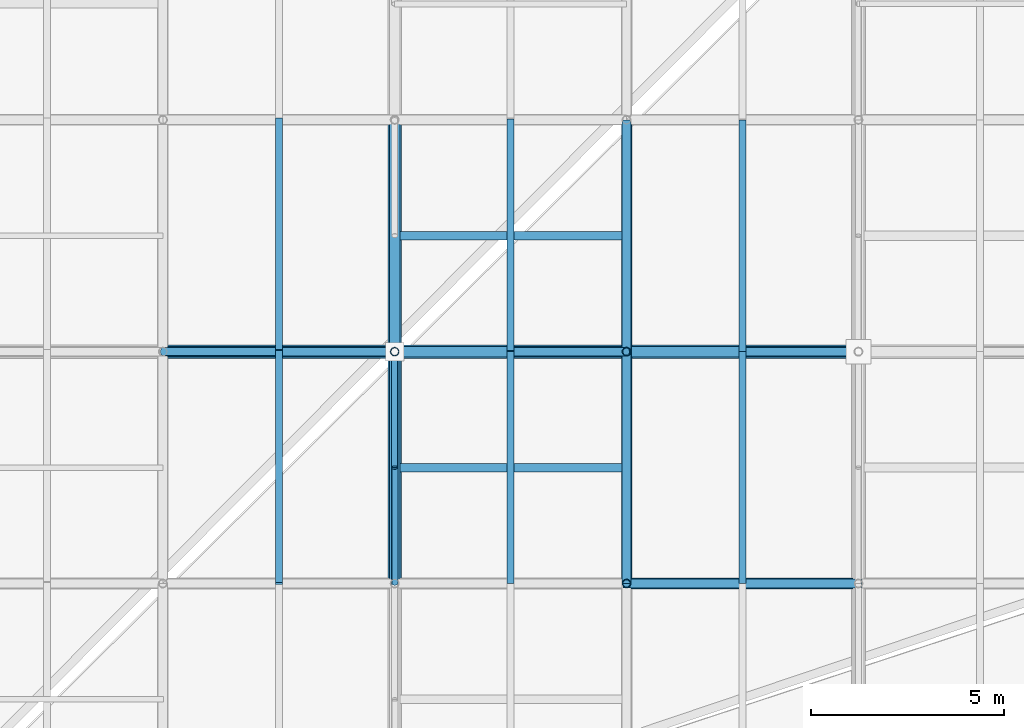
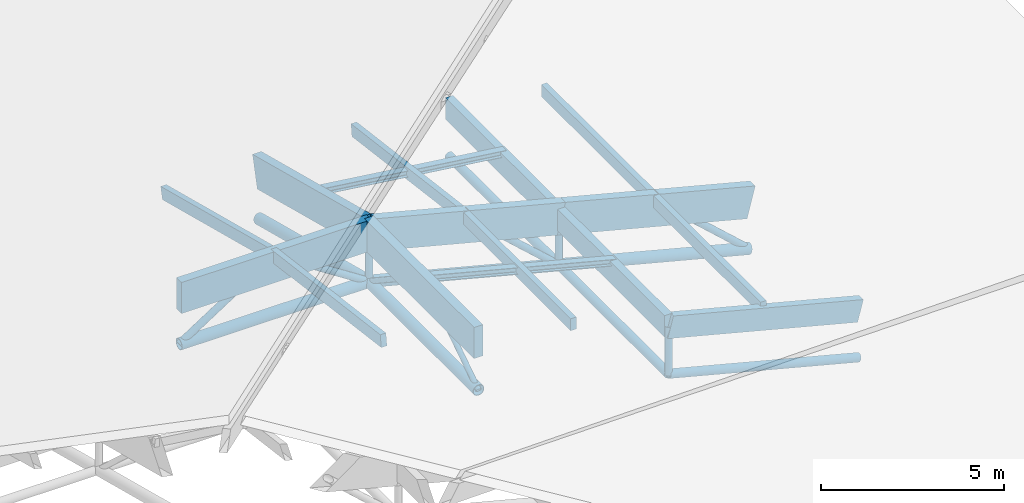
# One storey, part 43 of 80: 33 members.
"""IFC4 building model written with IfcOpenShell, lengths in metres."""

from ifc_helpers import new_model, si_unit, direction, frame, origin, origin_2d, place, context, subcontext, project, spatial, rectangle, hollow_circle, i_section, extrude, material, material_profile, profile_set, type_object, element, save


model = new_model("IFC4")

# Units and contexts
model_context = context("Model", 3, precision=1e-05, world=origin(), true_north=direction((0.0, 1.0)))
body_context = subcontext(model_context, "Body", "Model", "MODEL_VIEW")
ifc_project = project(units=[si_unit("LENGTHUNIT", "METRE"), si_unit("AREAUNIT", "SQUARE_METRE"), si_unit("VOLUMEUNIT", "CUBIC_METRE"), si_unit("PLANEANGLEUNIT", "RADIAN"), si_unit("MASSUNIT", "GRAM", prefix="KILO"), si_unit("THERMODYNAMICTEMPERATUREUNIT", "KELVIN"), si_unit("POWERUNIT", "WATT")], contexts=[model_context])

# Site, building, storey
site_placement = place(None, origin())
site = spatial("IfcSite", under=ifc_project, at=site_placement, CompositionType="ELEMENT")
building_placement = place(site_placement, origin())
building = spatial("IfcBuilding", under=site, at=building_placement, Name="Solmara Park Aquatics Centre", CompositionType="ELEMENT")
storey_placement = place(building_placement, frame((0.0, 0.0, 22.800048828125)))
storey = spatial("IfcBuildingStorey", under=building, at=storey_placement, Name="RF", CompositionType="ELEMENT", Elevation=22.800048828125)

# Members
ifc_material_1 = material(Name="Structural Steel S355", Category="steel")
ifc_material_profile_1 = material_profile(ifc_material_1, hollow_circle(Radius=0.084228515625, WallThickness=0.008056640625, at=origin_2d()), Name="CHS 168.3x8")
ifc_profile_set_1 = profile_set([ifc_material_profile_1], Name="Structural Steel S355")
member_type_1 = type_object("IfcMemberType", Name="STR-BRC-CHS168", PredefinedType="BRACE", material=ifc_profile_set_1)
for number, where, z_axis, x_axis, name in (
    (1, (84.60009765625, 54.60009765625, -8.0380859375), (0.0, 0.834611904619, 0.550838423377), (-1.0, 0.0, 0.0), "Roof Truss Web Diagonal Y 2079"),
    (2, (84.60009765625, 60.60009765625, -8.0380859375), (0.0, -0.834611904619, 0.550838423377), (1.0, 0.0, 0.0), "Roof Truss Web Diagonal Y 2080"),
):
    element("IfcMember", number, at=place(storey_placement, frame(where, z_axis=z_axis, x_axis=x_axis)), inside=storey, type_object=member_type_1, Name=name, PredefinedType="BRACE", context=body_context, shape_type="SweptSolid", body=[
        extrude(hollow_circle(Radius=0.084228515625, WallThickness=0.008056640625, at=origin_2d()), origin(), (0.0, 0.0, 1.0), 3.594482421875),
    ])
ifc_material_profile_2 = material_profile(ifc_material_1, hollow_circle(Radius=0.109619140625, WallThickness=0.010009765625, at=origin_2d()), Name="CHS 219.1x10")
ifc_profile_set_2 = profile_set([ifc_material_profile_2], Name="Structural Steel S355")
member_type_2 = type_object("IfcMemberType", Name="STR-BRC-CHS219", PredefinedType="BRACE", material=ifc_profile_set_2)
for number, where, z_axis, x_axis, name in (
    (3, (78.60009765625, 60.60009765625, -8.0380859375), (0.83972779743, 0.0, 0.543007574738), (0.0, 1.0, 0.0), "Roof Truss Web Diagonal X 1733"),
    (4, (84.60009765625, 60.60009765625, -8.0380859375), (-0.83972779743, 0.0, 0.543007574738), (0.0, -1.0, 0.0), "Roof Truss Web Diagonal X 1734"),
):
    element("IfcMember", number, at=place(storey_placement, frame(where, z_axis=z_axis, x_axis=x_axis)), inside=storey, type_object=member_type_2, Name=name, PredefinedType="BRACE", context=body_context, shape_type="SweptSolid", body=[
        extrude(hollow_circle(Radius=0.109619140625, WallThickness=0.010009765625, at=origin_2d()), origin(), (0.0, 0.0, 1.0), 3.572509765625),
    ])
for number, where, z_axis, x_axis, name in (
    (5, (90.60009765625, 60.60009765625, -9.58984375), (-0.741347083846, 0.0, 0.671121822974), (0.0, -1.0, 0.0), "Roof Truss Web Diagonal X 1760"),
    (6, (96.60009765625, 60.60009765625, -11.141357421875), (-0.741347083846, 0.0, 0.671121822974), (0.0, -1.0, 0.0), "Roof Truss Web Diagonal X 1786"),
):
    element("IfcMember", number, at=place(storey_placement, frame(where, z_axis=z_axis, x_axis=x_axis)), inside=storey, type_object=member_type_2, Name=name, PredefinedType="BRACE", context=body_context, shape_type="SweptSolid", body=[
        extrude(hollow_circle(Radius=0.109619140625, WallThickness=0.010009765625, at=origin_2d()), origin(), (0.0, 0.0, 1.0), 4.046630859375),
    ])
ifc_material_profile_3 = material_profile(ifc_material_1, hollow_circle(Radius=0.136474609375, WallThickness=0.012451171875, at=origin_2d()), Name="CHS 273x12.5")
ifc_profile_set_3 = profile_set([ifc_material_profile_3], Name="Structural Steel S355")
member_type_3 = type_object("IfcMemberType", Name="STR-CHD-CHS273", PredefinedType="CHORD", material=ifc_profile_set_3)
member_1_placement = place(storey_placement, frame((90.60009765625, 54.60009765625, -9.58984375), z_axis=(0.968155143395, 0.0, -0.250350990246), x_axis=(0.0, 1.0, 0.0)))
element("IfcMember", 7, at=member_1_placement, inside=storey, type_object=member_type_3, Name="Steel Roof Truss Bottom Chord X 0356", PredefinedType="CHORD", context=body_context, shape_type="SweptSolid", body=[
    extrude(hollow_circle(Radius=0.136474609375, WallThickness=0.012451171875, at=origin_2d()), origin(), (0.0, 0.0, 1.0), 6.197265625),
])
for number, where, z_axis, x_axis, name in (
    (8, (90.60009765625, 54.60009765625, -9.58984375), (0.0, 1.0, 0.0), (-1.0, 0.0, 0.0), "Steel Roof Truss Bottom Chord Y 0980"),
    (9, (90.60009765625, 60.60009765625, -9.58984375), (0.0, 1.0, 0.0), (-1.0, 0.0, 0.0), "Steel Roof Truss Bottom Chord Y 0982"),
):
    element("IfcMember", number, at=place(storey_placement, frame(where, z_axis=z_axis, x_axis=x_axis)), inside=storey, type_object=member_type_3, Name=name, PredefinedType="CHORD", context=body_context, shape_type="SweptSolid", body=[
        extrude(hollow_circle(Radius=0.136474609375, WallThickness=0.012451171875, at=origin_2d()), origin(), (0.0, 0.0, 1.0), 6.0),
    ])
ifc_material_profile_4 = material_profile(ifc_material_1, hollow_circle(Radius=0.177734375, WallThickness=0.01611328125, at=origin_2d()), Name="CHS 355.6x16")
ifc_profile_set_4 = profile_set([ifc_material_profile_4], Name="Structural Steel S355")
member_type_4 = type_object("IfcMemberType", Name="STR-CHD-CHS355", PredefinedType="CHORD", material=ifc_profile_set_4)
member_2_placement = place(storey_placement, frame((78.60009765625, 60.60009765625, -8.0380859375), z_axis=(1.0, 0.0, 0.0), x_axis=(0.0, 1.0, 0.0)))
element("IfcMember", 10, at=member_2_placement, inside=storey, type_object=member_type_4, Name="Steel Roof Truss Bottom Chord X 0388", PredefinedType="CHORD", context=body_context, shape_type="SweptSolid", body=[
    extrude(hollow_circle(Radius=0.177734375, WallThickness=0.01611328125, at=origin_2d()), origin(), (0.0, 0.0, 1.0), 6.0),
])
member_3_placement = place(storey_placement, frame((84.60009765625, 60.60009765625, -8.0380859375), z_axis=(0.968145594442, 0.0, -0.250387914969), x_axis=(0.0, 1.0, 0.0)))
element("IfcMember", 11, at=member_3_placement, inside=storey, type_object=member_type_4, Name="Steel Roof Truss Bottom Chord X 0390", PredefinedType="CHORD", context=body_context, shape_type="SweptSolid", body=[
    extrude(hollow_circle(Radius=0.177734375, WallThickness=0.01611328125, at=origin_2d()), origin(), (0.0, 0.0, 1.0), 6.197509765625),
])
member_4_placement = place(storey_placement, frame((90.60009765625, 60.60009765625, -9.58984375), z_axis=(0.968155143395, 0.0, -0.250350990246), x_axis=(0.0, 1.0, 0.0)))
element("IfcMember", 12, at=member_4_placement, inside=storey, type_object=member_type_4, Name="Steel Roof Truss Bottom Chord X 0392", PredefinedType="CHORD", context=body_context, shape_type="SweptSolid", body=[
    extrude(hollow_circle(Radius=0.177734375, WallThickness=0.01611328125, at=origin_2d()), origin(), (0.0, 0.0, 1.0), 6.197265625),
])
member_5_placement = place(storey_placement, frame((84.60009765625, 54.60009765625, -8.0380859375), z_axis=(0.0, 1.0, 0.0), x_axis=(-1.0, 0.0, 0.0)))
element("IfcMember", 13, at=member_5_placement, inside=storey, type_object=member_type_4, Name="Steel Roof Truss Bottom Chord Y 0952", PredefinedType="CHORD", context=body_context, shape_type="SweptSolid", body=[
    extrude(hollow_circle(Radius=0.177734375, WallThickness=0.01611328125, at=origin_2d()), origin(), (0.0, 0.0, 1.0), 6.0),
])
member_6_placement = place(storey_placement, frame((84.60009765625, 60.60009765625, -8.0380859375), z_axis=(0.0, 0.968145594442, -0.250387914969), x_axis=(-1.0, 0.0, 0.0)))
element("IfcMember", 14, at=member_6_placement, inside=storey, type_object=member_type_4, Name="Steel Roof Truss Bottom Chord Y 0954", PredefinedType="CHORD", context=body_context, shape_type="SweptSolid", body=[
    extrude(hollow_circle(Radius=0.177734375, WallThickness=0.01611328125, at=origin_2d()), origin(), (0.0, 0.0, 1.0), 6.197509765625),
])
ifc_material_2 = material(Name="Glulam Timber GL28h", Category="wood")
ifc_material_profile_5 = material_profile(ifc_material_2, rectangle(XDim=0.239990234375, YDim=0.719970703125, at=origin_2d()), Name="GL28h 240x720")
ifc_profile_set_5 = profile_set([ifc_material_profile_5], Name="Glulam Timber GL28h")
member_type_5 = type_object("IfcMemberType", Name="STR-CHD-GL240x720", PredefinedType="CHORD", material=ifc_profile_set_5)
member_7_placement = place(storey_placement, frame((90.60009765625, 54.60009765625, -7.9697265625), z_axis=(0.968145594442, 0.0, -0.250387914969), x_axis=(0.0, 1.0, 0.0)))
element("IfcMember", 15, at=member_7_placement, inside=storey, type_object=member_type_5, Name="Glulam Roof Truss Top Chord X 0355", PredefinedType="CHORD", context=body_context, shape_type="SweptSolid", body=[
    extrude(rectangle(XDim=0.239990234375, YDim=0.719970703125, at=origin_2d()), origin(), (0.0, 0.0, 1.0), 6.197509765625),
])
for number, where, z_axis, x_axis, name in (
    (16, (90.60009765625, 54.60009765625, -7.9697265625), (0.0, 1.0, 0.0), (-1.0, 0.0, 0.0), "Glulam Roof Truss Top Chord Y 0979"),
    (17, (90.60009765625, 60.60009765625, -7.9697265625), (0.0, 1.0, 0.0), (-1.0, 0.0, 0.0), "Glulam Roof Truss Top Chord Y 0981"),
):
    element("IfcMember", number, at=place(storey_placement, frame(where, z_axis=z_axis, x_axis=x_axis)), inside=storey, type_object=member_type_5, Name=name, PredefinedType="CHORD", context=body_context, shape_type="SweptSolid", body=[
        extrude(rectangle(XDim=0.239990234375, YDim=0.719970703125, at=origin_2d()), origin(), (0.0, 0.0, 1.0), 6.0),
    ])
ifc_material_profile_6 = material_profile(ifc_material_2, rectangle(XDim=0.280029296875, YDim=1.0400390625, at=origin_2d()), Name="GL28h 280x1040")
ifc_profile_set_6 = profile_set([ifc_material_profile_6], Name="Glulam Timber GL28h")
member_type_6 = type_object("IfcMemberType", Name="STR-CHD-GL280x1040", PredefinedType="CHORD", material=ifc_profile_set_6)
member_8_placement = place(storey_placement, frame((78.60009765625, 60.60009765625, -6.41796875), z_axis=(1.0, 0.0, 0.0), x_axis=(0.0, 1.0, 0.0)))
element("IfcMember", 18, at=member_8_placement, inside=storey, type_object=member_type_6, Name="Glulam Roof Truss Top Chord X 0387", PredefinedType="CHORD", context=body_context, shape_type="SweptSolid", body=[
    extrude(rectangle(XDim=0.280029296875, YDim=1.0400390625, at=origin_2d()), origin(), (0.0, 0.0, 1.0), 6.0),
])
for number, where, z_axis, x_axis, name in (
    (19, (84.60009765625, 60.60009765625, -6.41796875), (0.968145594442, 0.0, -0.250387914969), (0.0, 1.0, 0.0), "Glulam Roof Truss Top Chord X 0389"),
    (20, (90.60009765625, 60.60009765625, -7.9697265625), (0.968145594442, 0.0, -0.250387914969), (0.0, 1.0, 0.0), "Glulam Roof Truss Top Chord X 0391"),
):
    element("IfcMember", number, at=place(storey_placement, frame(where, z_axis=z_axis, x_axis=x_axis)), inside=storey, type_object=member_type_6, Name=name, PredefinedType="CHORD", context=body_context, shape_type="SweptSolid", body=[
        extrude(rectangle(XDim=0.280029296875, YDim=1.0400390625, at=origin_2d()), origin(), (0.0, 0.0, 1.0), 6.197509765625),
    ])
member_9_placement = place(storey_placement, frame((84.60009765625, 54.60009765625, -6.41796875), z_axis=(0.0, 1.0, 0.0), x_axis=(-1.0, 0.0, 0.0)))
element("IfcMember", 21, at=member_9_placement, inside=storey, type_object=member_type_6, Name="Glulam Roof Truss Top Chord Y 0951", PredefinedType="CHORD", context=body_context, shape_type="SweptSolid", body=[
    extrude(rectangle(XDim=0.280029296875, YDim=1.0400390625, at=origin_2d()), origin(), (0.0, 0.0, 1.0), 6.0),
])
member_10_placement = place(storey_placement, frame((84.60009765625, 60.60009765625, -6.41796875), z_axis=(0.0, 0.968145594442, -0.250387914969), x_axis=(-1.0, 0.0, 0.0)))
element("IfcMember", 22, at=member_10_placement, inside=storey, type_object=member_type_6, Name="Glulam Roof Truss Top Chord Y 0953", PredefinedType="CHORD", context=body_context, shape_type="SweptSolid", body=[
    extrude(rectangle(XDim=0.280029296875, YDim=1.0400390625, at=origin_2d()), origin(), (0.0, 0.0, 1.0), 6.197509765625),
])
ifc_material_profile_7 = material_profile(ifc_material_2, rectangle(XDim=0.179931640625, YDim=0.39990234375, at=origin_2d()), Name="GL28h 180x400")
ifc_profile_set_7 = profile_set([ifc_material_profile_7], Name="Glulam Timber GL28h")
member_type_7 = type_object("IfcMemberType", Name="STR-PRL-GL180x400", PredefinedType="PURLIN", material=ifc_profile_set_7)
member_11_placement = place(storey_placement, frame((81.60009765625, 54.60009765625, -5.322265625), z_axis=(0.0, 0.991742472473, -0.128245344137), x_axis=(-1.0, 0.0, 0.0)))
element("IfcMember", 23, at=member_11_placement, inside=storey, type_object=member_type_7, Name="Glulam Roof Purlin 1720", PredefinedType="PURLIN", context=body_context, shape_type="SweptSolid", body=[
    extrude(rectangle(XDim=0.179931640625, YDim=0.39990234375, at=origin_2d()), origin(), (0.0, 0.0, 1.0), 6.050048828125),
])
member_12_placement = place(storey_placement, frame((81.60009765625, 60.60009765625, -6.09814453125), z_axis=(0.0, 0.968155143395, -0.250350990246), x_axis=(-1.0, 0.0, 0.0)))
element("IfcMember", 24, at=member_12_placement, inside=storey, type_object=member_type_7, Name="Glulam Roof Purlin 1721", PredefinedType="PURLIN", context=body_context, shape_type="SweptSolid", body=[
    extrude(rectangle(XDim=0.179931640625, YDim=0.39990234375, at=origin_2d()), origin(), (0.0, 0.0, 1.0), 6.197265625),
])
member_13_placement = place(storey_placement, frame((87.60009765625, 54.60009765625, -6.8740234375), z_axis=(0.0, 1.0, 0.0), x_axis=(-1.0, 0.0, 0.0)))
element("IfcMember", 25, at=member_13_placement, inside=storey, type_object=member_type_7, Name="Glulam Roof Purlin 1748", PredefinedType="PURLIN", context=body_context, shape_type="SweptSolid", body=[
    extrude(rectangle(XDim=0.179931640625, YDim=0.39990234375, at=origin_2d()), origin(), (0.0, 0.0, 1.0), 6.0),
])
member_14_placement = place(storey_placement, frame((87.60009765625, 60.60009765625, -6.8740234375), z_axis=(0.0, 0.991747604197, -0.128205653423), x_axis=(-1.0, 0.0, 0.0)))
element("IfcMember", 26, at=member_14_placement, inside=storey, type_object=member_type_7, Name="Glulam Roof Purlin 1749", PredefinedType="PURLIN", context=body_context, shape_type="SweptSolid", body=[
    extrude(rectangle(XDim=0.179931640625, YDim=0.39990234375, at=origin_2d()), origin(), (0.0, 0.0, 1.0), 6.0498046875),
])
for number, where, z_axis, x_axis, name in (
    (27, (93.60009765625, 54.60009765625, -8.425537109375), (0.0, 1.0, 0.0), (-1.0, 0.0, 0.0), "Glulam Roof Purlin 1774"),
    (28, (93.60009765625, 60.60009765625, -8.425537109375), (0.0, 1.0, 0.0), (-1.0, 0.0, 0.0), "Glulam Roof Purlin 1775"),
):
    element("IfcMember", number, at=place(storey_placement, frame(where, z_axis=z_axis, x_axis=x_axis)), inside=storey, type_object=member_type_7, Name=name, PredefinedType="PURLIN", context=body_context, shape_type="SweptSolid", body=[
        extrude(rectangle(XDim=0.179931640625, YDim=0.39990234375, at=origin_2d()), origin(), (0.0, 0.0, 1.0), 6.0),
    ])
ifc_material_profile_8 = material_profile(ifc_material_1, i_section(OverallWidth=0.219970703125, OverallDepth=0.2099609375, WebThickness=0.007080078125, FlangeThickness=0.010986328125, FilletRadius=0.01806640625, at=origin_2d()), Name="HEA 220")
ifc_profile_set_8 = profile_set([ifc_material_profile_8], Name="Structural Steel S355")
member_type_8 = type_object("IfcMemberType", Name="STR-PRL-HEA220", PredefinedType="PURLIN", material=ifc_profile_set_8)
member_15_placement = place(storey_placement, frame((84.60009765625, 57.60009765625, -6.078125), z_axis=(0.968155143395, 0.0, -0.250350990246), x_axis=(0.0, 1.0, 0.0)))
element("IfcMember", 29, at=member_15_placement, inside=storey, type_object=member_type_8, Name="Glulam Secondary Roof Purlin 2067", PredefinedType="PURLIN", context=body_context, shape_type="SweptSolid", body=[
    extrude(i_section(OverallWidth=0.219970703125, OverallDepth=0.2099609375, WebThickness=0.007080078125, FlangeThickness=0.010986328125, FilletRadius=0.01806640625, at=origin_2d()), origin(), (0.0, 0.0, 1.0), 6.197265625),
])
member_16_placement = place(storey_placement, frame((84.60009765625, 63.60009765625, -6.85400390625), z_axis=(0.991747604197, 0.0, -0.128205653423), x_axis=(0.0, 1.0, 0.0)))
element("IfcMember", 30, at=member_16_placement, inside=storey, type_object=member_type_8, Name="Glulam Secondary Roof Purlin 2092", PredefinedType="PURLIN", context=body_context, shape_type="SweptSolid", body=[
    extrude(i_section(OverallWidth=0.219970703125, OverallDepth=0.2099609375, WebThickness=0.007080078125, FlangeThickness=0.010986328125, FilletRadius=0.01806640625, at=origin_2d()), origin(), (0.0, 0.0, 1.0), 6.0498046875),
])
ifc_material_profile_9 = material_profile(ifc_material_1, hollow_circle(Radius=0.109619140625, WallThickness=0.010009765625, at=origin_2d()), Name="CHS 219.1x10")
ifc_profile_set_9 = profile_set([ifc_material_profile_9], Name="Structural Steel S355")
member_type_9 = type_object("IfcMemberType", Name="STR-PST-CHS219", PredefinedType="POST", material=ifc_profile_set_9)
for number, where, z_axis, x_axis, name in (
    (31, (84.60009765625, 60.60009765625, -8.0380859375), (0.0, 0.0, 1.0), (1.0, 0.0, 0.0), "Roof Truss Web Post 1286"),
    (32, (90.60009765625, 54.60009765625, -9.58984375), (0.0, 0.0, 1.0), (1.0, 0.0, 0.0), "Roof Truss Web Post 1300"),
    (33, (90.60009765625, 60.60009765625, -9.58984375), (0.0, 0.0, 1.0), (1.0, 0.0, 0.0), "Roof Truss Web Post 1301"),
):
    element("IfcMember", number, at=place(storey_placement, frame(where, z_axis=z_axis, x_axis=x_axis)), inside=storey, type_object=member_type_9, Name=name, PredefinedType="POST", context=body_context, shape_type="SweptSolid", body=[
        extrude(hollow_circle(Radius=0.109619140625, WallThickness=0.010009765625, at=origin_2d()), origin(), (0.0, 0.0, 1.0), 1.6201171875),
    ])

save(model, "model.ifc")
